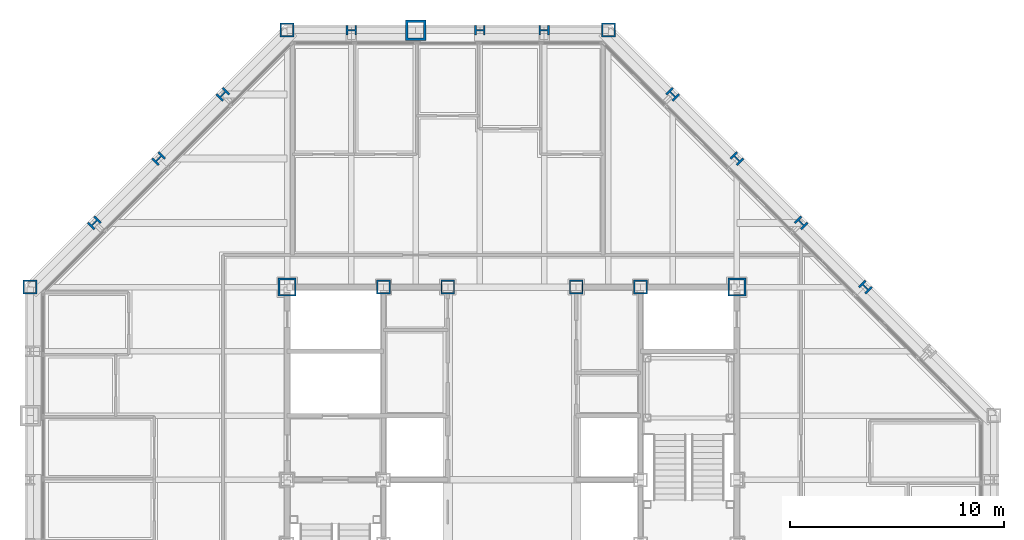
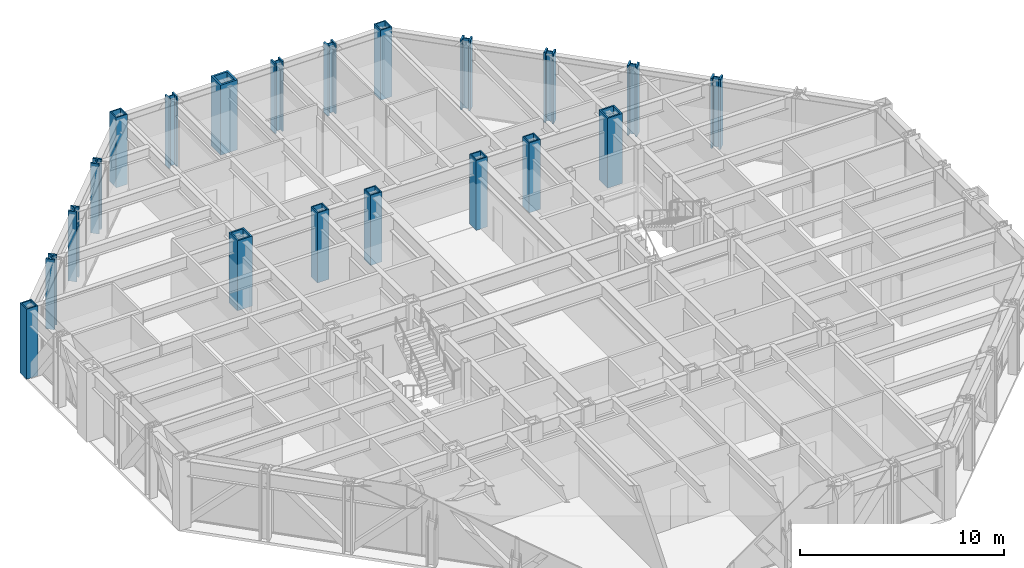
# One storey, part 3 of 15: 20 columns.
"""IFC4 building model written with IfcOpenShell, lengths in metres."""

from ifc_helpers import new_model, si_unit, direction, frame, origin, origin_2d, place, context, subcontext, project, spatial, hollow_rectangle, i_section, extrude, material, material_profile, profile_set, type_object, element, save


model = new_model("IFC4")

# Units and contexts
model_context = context("Model", 3, precision=1e-05, world=origin(), true_north=direction((0.0, 1.0)))
body_context = subcontext(model_context, "Body", "Model", "MODEL_VIEW")
ifc_project = project(units=[si_unit("LENGTHUNIT", "METRE"), si_unit("AREAUNIT", "SQUARE_METRE"), si_unit("VOLUMEUNIT", "CUBIC_METRE"), si_unit("PLANEANGLEUNIT", "RADIAN"), si_unit("MASSUNIT", "GRAM", prefix="KILO")], contexts=[model_context])

# Site, building, storey
site_placement = place(None, origin())
site = spatial("IfcSite", under=ifc_project, at=site_placement, CompositionType="ELEMENT")
building_placement = place(site_placement, origin())
building = spatial("IfcBuilding", under=site, at=building_placement, Name="Chuquiago Exchange Tower", CompositionType="ELEMENT")
storey_placement = place(building_placement, frame((0.0, 0.0, 197.10009765625)))
storey = spatial("IfcBuildingStorey", under=building, at=storey_placement, Name="L43", CompositionType="ELEMENT", Elevation=197.10009765625)

# Columns
ifc_material_1 = material(Name="Steel ASTM A992", Category="steel")
ifc_material_profile_1 = material_profile(ifc_material_1, i_section(OverallWidth=0.431884765625, OverallDepth=0.497802734375, WebThickness=0.0556640625, FlangeThickness=0.0888671875, at=origin_2d()), Name="W14X500")
ifc_profile_set_1 = profile_set([ifc_material_profile_1], Name="Steel ASTM A992")
column_type_1 = type_object("IfcColumnType", Name="C4 W14X500", PredefinedType="COLUMN", material=ifc_profile_set_1)
for number, where, z_axis, x_axis, name in (
    (1, (24.0, 45.0, 0.0), (0.0, 0.0, 1.0), (0.0, 1.0, 0.0), "COL-L43-24_45"),
    (2, (21.0, 45.0, 0.0), (0.0, 0.0, 1.0), (0.0, 1.0, 0.0), "COL-L43-21_45"),
    (3, (15.0, 45.0, 0.0), (0.0, 0.0, 1.0), (0.0, 1.0, 0.0), "COL-L43-15_45"),
):
    element("IfcColumn", number, at=place(storey_placement, frame(where, z_axis=z_axis, x_axis=x_axis)), inside=storey, type_object=column_type_1, Name=name, PredefinedType="COLUMN", context=body_context, shape_type="SweptSolid", body=[
        extrude(i_section(OverallWidth=0.431884765625, OverallDepth=0.497802734375, WebThickness=0.0556640625, FlangeThickness=0.0888671875, at=origin_2d()), origin(), (0.0, 0.0, 1.0), 4.199951171875),
    ])
ifc_material_2 = material(Name="Steel ASTM A572 Grade 50", Category="steel")
ifc_material_profile_2 = material_profile(ifc_material_2, hollow_rectangle(XDim=0.64990234375, YDim=0.64990234375, WallThickness=0.06494140625, at=origin_2d()), Name="BOX650X650X65")
ifc_profile_set_2 = profile_set([ifc_material_profile_2], Name="Steel ASTM A572 Grade 50")
column_type_2 = type_object("IfcColumnType", Name="CC4 BOX650X650X65", PredefinedType="COLUMN", material=ifc_profile_set_2)
for number, where, z_axis, x_axis, name in (
    (4, (16.5, 33.0, 0.0), (0.0, 0.0, 1.0), (1.0, 0.0, 0.0), "CCOL-L43-16.5_33"),
    (5, (19.5, 33.0, 0.0), (0.0, 0.0, 1.0), (1.0, 0.0, 0.0), "CCOL-L43-19.5_33"),
    (6, (25.5, 33.0, 0.0), (0.0, 0.0, 1.0), (1.0, 0.0, 0.0), "CCOL-L43-25.5_33"),
    (7, (28.5, 33.0, 0.0), (0.0, 0.0, 1.0), (1.0, 0.0, 0.0), "CCOL-L43-28.5_33"),
):
    element("IfcColumn", number, at=place(storey_placement, frame(where, z_axis=z_axis, x_axis=x_axis)), inside=storey, type_object=column_type_2, Name=name, PredefinedType="COLUMN", context=body_context, shape_type="SweptSolid", body=[
        extrude(hollow_rectangle(XDim=0.64990234375, YDim=0.64990234375, WallThickness=0.06494140625, at=origin_2d()), origin(), (0.0, 0.0, 1.0), 4.199951171875),
    ])
ifc_material_3 = material(Name="Steel ASTM A572 Grade 50", Category="steel")
ifc_material_profile_3 = material_profile(ifc_material_3, hollow_rectangle(XDim=0.85009765625, YDim=0.85009765625, WallThickness=0.0849609375, at=origin_2d()), Name="BOX850X850X85")
ifc_profile_set_3 = profile_set([ifc_material_profile_3], Name="Steel ASTM A572 Grade 50")
column_type_3 = type_object("IfcColumnType", Name="CC6 BOX850X850X85", PredefinedType="COLUMN", material=ifc_profile_set_3)
for number, where, z_axis, x_axis, name in (
    (8, (12.0, 33.0, 0.0), (0.0, 0.0, 1.0), (1.0, 0.0, 0.0), "CCOL-L43-12_33"),
    (9, (33.0, 33.0, 0.0), (0.0, 0.0, 1.0), (1.0, 0.0, 0.0), "CCOL-L43-33_33"),
):
    element("IfcColumn", number, at=place(storey_placement, frame(where, z_axis=z_axis, x_axis=x_axis)), inside=storey, type_object=column_type_3, Name=name, PredefinedType="COLUMN", context=body_context, shape_type="SweptSolid", body=[
        extrude(hollow_rectangle(XDim=0.85009765625, YDim=0.85009765625, WallThickness=0.0849609375, at=origin_2d()), origin(), (0.0, 0.0, 1.0), 4.199951171875),
    ])
ifc_material_4 = material(Name="Steel ASTM A992", Category="steel")
ifc_material_profile_4 = material_profile(ifc_material_4, i_section(OverallWidth=0.436767578125, OverallDepth=0.51318359375, WebThickness=0.060546875, FlangeThickness=0.096923828125, at=origin_2d()), Name="W14X550")
ifc_profile_set_4 = profile_set([ifc_material_profile_4], Name="Steel ASTM A992")
column_type_4 = type_object("IfcColumnType", Name="CK4 W14X550", PredefinedType="COLUMN", material=ifc_profile_set_4)
for number, where, z_axis, x_axis, name in (
    (10, (39.0, 33.0, 0.0), (0.0, 0.0, 1.0), (0.707106781187, 0.707106781187, 0.0), "COL-L43-39_33"),
    (11, (36.0, 36.0, 0.0), (0.0, 0.0, 1.0), (0.707106781187, 0.707106781187, 0.0), "COL-L43-36_36"),
    (12, (33.0, 39.0, 0.0), (0.0, 0.0, 1.0), (0.707106781187, 0.707106781187, 0.0), "COL-L43-33_39"),
    (13, (30.0, 42.0, 0.0), (0.0, 0.0, 1.0), (0.707106781187, 0.707106781187, 0.0), "COL-L43-30_42"),
    (14, (9.0, 42.0, 0.0), (0.0, 0.0, 1.0), (-0.707106781187, 0.707106781187, 0.0), "COL-L43-9_42"),
    (15, (6.0, 39.0, 0.0), (0.0, 0.0, 1.0), (-0.707106781187, 0.707106781187, 0.0), "COL-L43-6_39"),
    (16, (3.0, 36.0, 0.0), (0.0, 0.0, 1.0), (-0.707106781187, 0.707106781187, 0.0), "COL-L43-3_36"),
):
    element("IfcColumn", number, at=place(storey_placement, frame(where, z_axis=z_axis, x_axis=x_axis)), inside=storey, type_object=column_type_4, Name=name, PredefinedType="COLUMN", context=body_context, shape_type="SweptSolid", body=[
        extrude(i_section(OverallWidth=0.436767578125, OverallDepth=0.51318359375, WebThickness=0.060546875, FlangeThickness=0.096923828125, at=origin_2d()), origin(), (0.0, 0.0, 1.0), 4.199951171875),
    ])
ifc_material_5 = material(Name="Steel ASTM A572 Grade 50", Category="steel")
ifc_material_profile_5 = material_profile(ifc_material_5, hollow_rectangle(XDim=0.64990234375, YDim=0.64990234375, WallThickness=0.06494140625, at=origin_2d()), Name="BOX650X650X65")
ifc_profile_set_5 = profile_set([ifc_material_profile_5], Name="Steel ASTM A572 Grade 50")
column_type_5 = type_object("IfcColumnType", Name="CN2 BOX650X650X65", PredefinedType="COLUMN", material=ifc_profile_set_5)
for number, where, z_axis, x_axis, name in (
    (17, (27.0, 45.0, 0.0), (0.0, 0.0, 1.0), (0.0, 1.0, 0.0), "COL-L43-27_45"),
    (18, (12.0, 45.0, 0.0), (0.0, 0.0, 1.0), (0.0, 1.0, 0.0), "COL-L43-12_45"),
    (19, (0.0, 33.0, 0.0), (0.0, 0.0, 1.0), (-1.0, 0.0, 0.0), "COL-L43-0_33"),
):
    element("IfcColumn", number, at=place(storey_placement, frame(where, z_axis=z_axis, x_axis=x_axis)), inside=storey, type_object=column_type_5, Name=name, PredefinedType="COLUMN", context=body_context, shape_type="SweptSolid", body=[
        extrude(hollow_rectangle(XDim=0.64990234375, YDim=0.64990234375, WallThickness=0.06494140625, at=origin_2d()), origin(), (0.0, 0.0, 1.0), 4.199951171875),
    ])
ifc_material_6 = material(Name="Steel ASTM A572 Grade 42", Category="steel")
ifc_material_profile_6 = material_profile(ifc_material_6, hollow_rectangle(XDim=0.949951171875, YDim=0.949951171875, WallThickness=0.110107421875, at=origin_2d()), Name="BOX950X950X110")
ifc_profile_set_6 = profile_set([ifc_material_profile_6], Name="Steel ASTM A572 Grade 42")
column_type_6 = type_object("IfcColumnType", Name="CT1 BOX950X950X110", PredefinedType="COLUMN", material=ifc_profile_set_6)
column_placement = place(storey_placement, frame((18.0, 45.0, 0.0), z_axis=(0.0, 0.0, 1.0), x_axis=(0.0, 1.0, 0.0)))
element("IfcColumn", 20, at=column_placement, inside=storey, type_object=column_type_6, Name="COL-L43-18_45", PredefinedType="COLUMN", context=body_context, shape_type="SweptSolid", body=[
    extrude(hollow_rectangle(XDim=0.949951171875, YDim=0.949951171875, WallThickness=0.110107421875, at=origin_2d()), origin(), (0.0, 0.0, 1.0), 4.199951171875),
])

save(model, "model.ifc")
